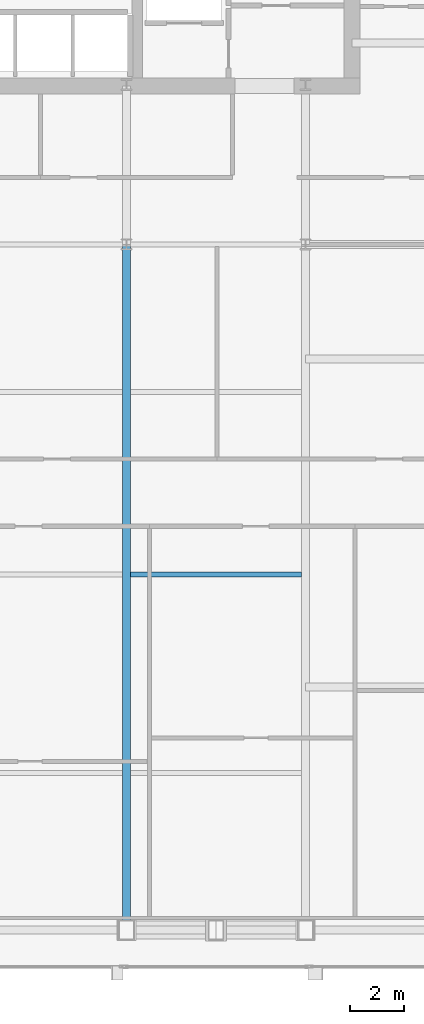
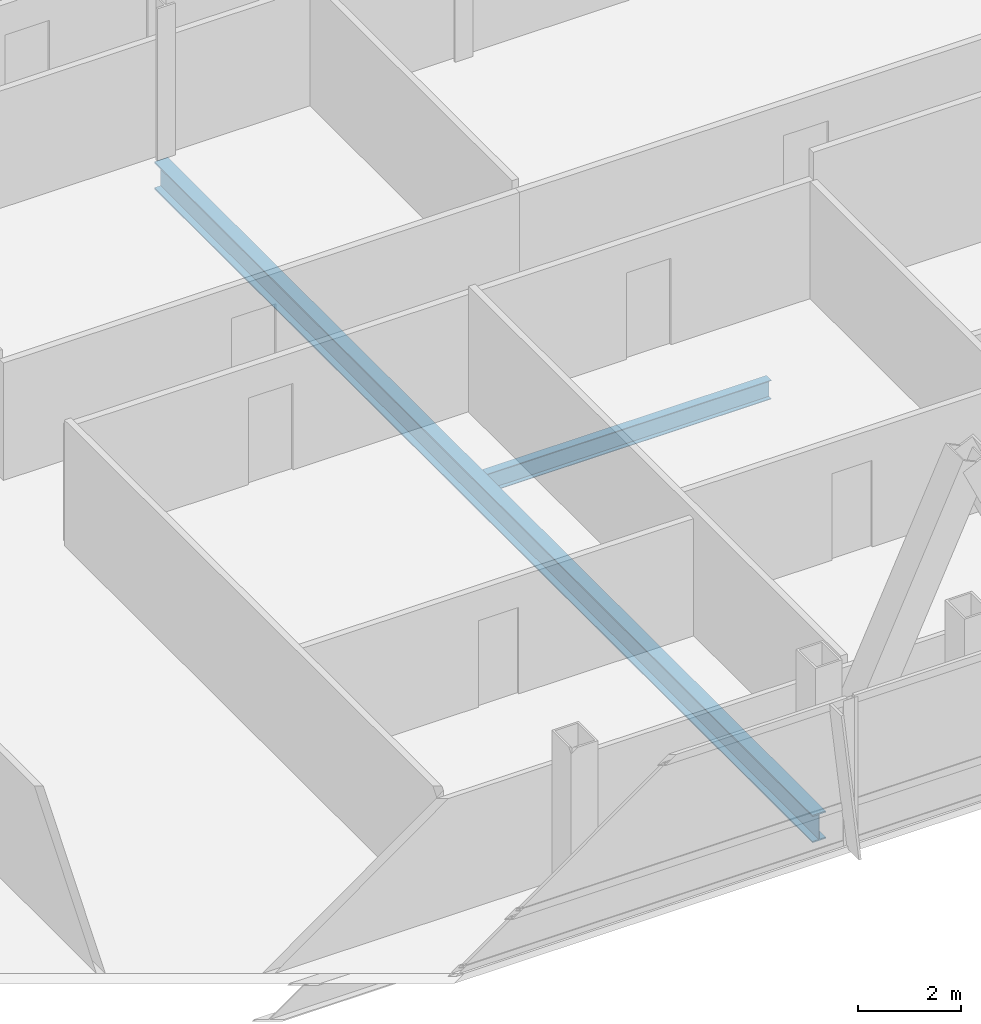
# One storey, part 15 of 32: 2 beams.
"""IFC4 building model written with IfcOpenShell, lengths in metres."""

from ifc_helpers import new_model, si_unit, direction, frame, origin, origin_2d, place, context, subcontext, project, spatial, i_section, extrude, material, material_profile, profile_set, type_object, element, save


model = new_model("IFC4")

# Units and contexts
model_context = context("Model", 3, precision=1e-05, world=origin(), true_north=direction((0.0, 1.0)))
body_context = subcontext(model_context, "Body", "Model", "MODEL_VIEW")
ifc_project = project(units=[si_unit("LENGTHUNIT", "METRE"), si_unit("AREAUNIT", "SQUARE_METRE"), si_unit("VOLUMEUNIT", "CUBIC_METRE"), si_unit("PLANEANGLEUNIT", "RADIAN"), si_unit("MASSUNIT", "GRAM", prefix="KILO")], contexts=[model_context])

# Site, building, storey
site_placement = place(None, origin())
site = spatial("IfcSite", under=ifc_project, at=site_placement, CompositionType="ELEMENT")
building_placement = place(site_placement, origin())
building = spatial("IfcBuilding", under=site, at=building_placement, Name="Khoronbel Lancet Exchange", CompositionType="ELEMENT")
storey_placement = place(building_placement, frame((0.0, 0.0, 231.800048828125)))
storey = spatial("IfcBuildingStorey", under=building, at=storey_placement, Name="L59", CompositionType="ELEMENT", Elevation=231.800048828125)

# Beams
ifc_material = material(Name="Steel S355", Category="steel")
ifc_material_profile_1 = material_profile(ifc_material, i_section(OverallWidth=0.300048828125, OverallDepth=0.64990234375, WebThickness=0.01611328125, FlangeThickness=0.031005859375, at=origin_2d()), Name="HEB 650")
ifc_profile_set_1 = profile_set([ifc_material_profile_1], Name="Steel S355")
beam_type_1 = type_object("IfcBeamType", Name="BM-BG4", PredefinedType="BEAM", material=ifc_profile_set_1)
beam_1_placement = place(storey_placement, frame((48.0, 10.14990234375, -0.485107421875), z_axis=(0.0, 1.0, 0.0), x_axis=(-1.0, 0.0, 0.0)))
element("IfcBeam", 1, at=beam_1_placement, inside=storey, type_object=beam_type_1, Name="Level L59 south primary girder GS5", PredefinedType="BEAM", context=body_context, shape_type="SweptSolid", body=[
    extrude(i_section(OverallWidth=0.300048828125, OverallDepth=0.64990234375, WebThickness=0.01611328125, FlangeThickness=0.031005859375, at=origin_2d()), origin(), (0.0, 0.0, 1.0), 25.550048828125),
])
ifc_material_profile_2 = material_profile(ifc_material, i_section(OverallWidth=0.18994140625, OverallDepth=0.449951171875, WebThickness=0.009521484375, FlangeThickness=0.0146484375, at=origin_2d()), Name="IPE 450")
ifc_profile_set_2 = profile_set([ifc_material_profile_2], Name="Steel S355")
beam_type_2 = type_object("IfcBeamType", Name="BM-BJ4", PredefinedType="JOIST", material=ifc_profile_set_2)
beam_2_placement = place(storey_placement, frame((48.14990234375, 23.39990234375, -0.385009765625), z_axis=(1.0, 0.0, 0.0), x_axis=(0.0, 1.0, 0.0)))
element("IfcBeam", 2, at=beam_2_placement, inside=storey, type_object=beam_type_2, Name="Level L59 secondary composite joist J10", PredefinedType="JOIST", context=body_context, shape_type="SweptSolid", body=[
    extrude(i_section(OverallWidth=0.18994140625, OverallDepth=0.449951171875, WebThickness=0.009521484375, FlangeThickness=0.0146484375, at=origin_2d()), origin(), (0.0, 0.0, 1.0), 6.375),
])

save(model, "model.ifc")
